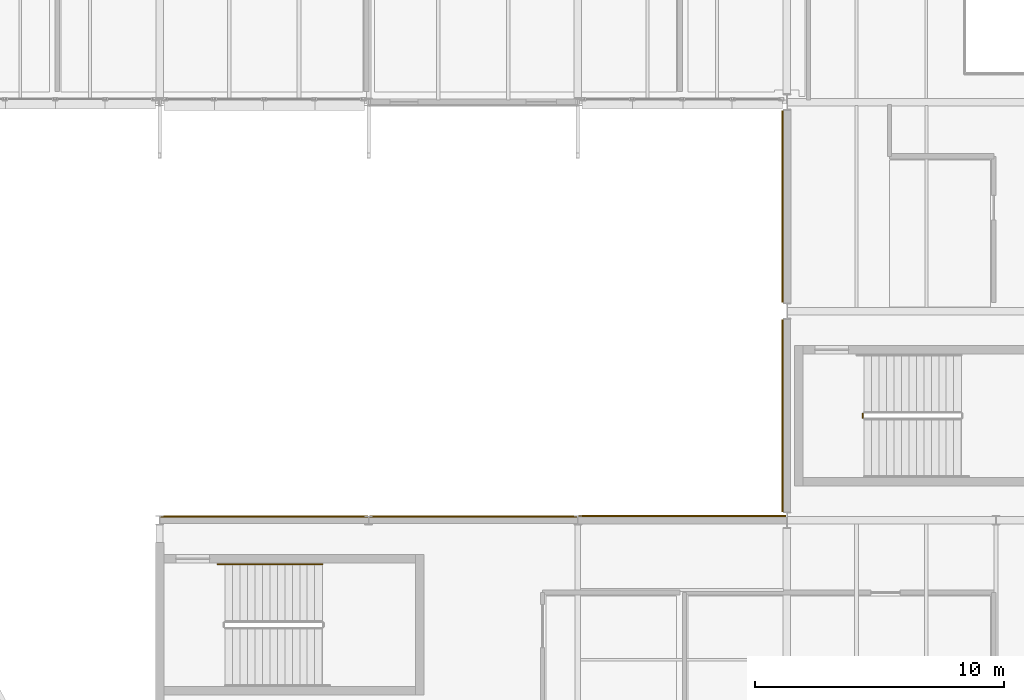
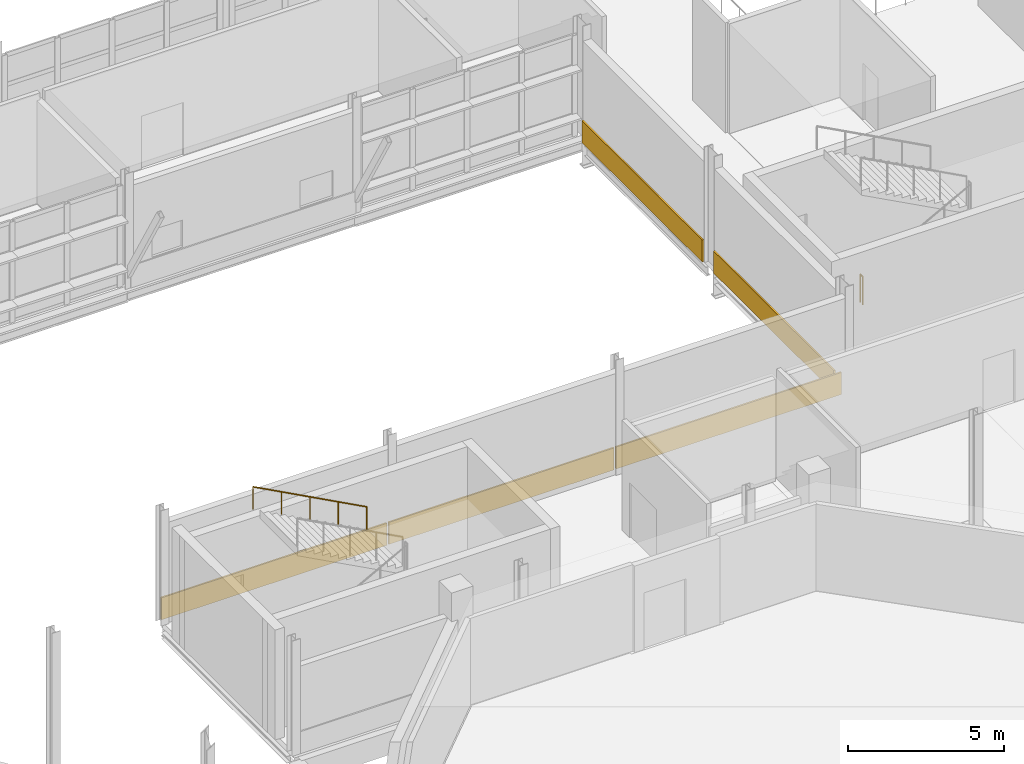
# One storey, part 111 of 129: 5 coverings, 2 railings.
"""IFC4 building model written with IfcOpenShell, lengths in metres."""

from ifc_helpers import new_model, si_unit, direction, frame, origin, origin_2d, place, context, subcontext, project, spatial, rectangle, circle, extrude, material, layer, layer_set, type_object, element, save


model = new_model("IFC4")

# Units and contexts
model_context = context("Model", 3, precision=1e-05, world=origin(), true_north=direction((0.0, 1.0)))
body_context = subcontext(model_context, "Body", "Model", "MODEL_VIEW")
ifc_project = project(units=[si_unit("LENGTHUNIT", "METRE"), si_unit("AREAUNIT", "SQUARE_METRE"), si_unit("VOLUMEUNIT", "CUBIC_METRE"), si_unit("PLANEANGLEUNIT", "RADIAN"), si_unit("MASSUNIT", "GRAM", prefix="KILO")], contexts=[model_context])

# Site, building, storey
site_placement = place(None, origin())
site = spatial("IfcSite", under=ifc_project, at=site_placement, CompositionType="ELEMENT")
building_placement = place(site_placement, origin())
building = spatial("IfcBuilding", under=site, at=building_placement, Name="Mersafa Astral City Hall", CompositionType="ELEMENT")
storey_placement = place(building_placement, frame((0.0, 0.0, 5.39990234375)))
storey = spatial("IfcBuildingStorey", under=building, at=storey_placement, Name="L01", CompositionType="ELEMENT", Elevation=5.39990234375)

# Coverings
ifc_material_1 = material(Name="Cairo Mokattam buff limestone cladding", Category="masonry")
ifc_layer = layer(ifc_material_1, 0.06005859375, Name="Cairo Mokattam buff limestone cladding")
ifc_layer_set = layer_set([ifc_layer], Name="Cairo Mokattam buff limestone cladding — ENV-COV-LIMESTONE-60")
covering_type = type_object("IfcCoveringType", Name="ENV-COV-LIMESTONE-60", PredefinedType="CLADDING", material=ifc_layer_set)
for number, where, z_axis, x_axis, name in (
    (1, (92.222900390625, 46.199951171875, 0.0), (0.0, 0.0, 1.0), (0.0, -1.0, 0.0), "L01 Cairo buff limestone rainscreen cladding 132"),
    (2, (92.23046875, 37.800048828125, 0.0), (0.0, 0.0, 1.0), (0.0, -1.0, 0.0), "L01 Cairo buff limestone rainscreen cladding 133"),
):
    element("IfcCovering", number, at=place(storey_placement, frame(where, z_axis=z_axis, x_axis=x_axis)), inside=storey, type_object=covering_type, Name=name, PredefinedType="CLADDING", context=body_context, shape_type="SweptSolid", body=[
        extrude(rectangle(XDim=7.697998046875, YDim=0.06005859375, at=origin_2d()), origin(), (0.0, 0.0, 1.0), 0.860107421875),
    ])
for number, where, z_axis, x_axis, name in (
    (3, (88.199951171875, 33.761962890625, 0.0), (0.0, 0.0, 1.0), (-1.0, 0.0, 0.0), "L01 Cairo buff limestone rainscreen cladding 134"),
    (4, (79.800048828125, 33.75439453125, 0.0), (0.0, 0.0, 1.0), (-1.0, 0.0, 0.0), "L01 Cairo buff limestone rainscreen cladding 135"),
    (5, (71.39990234375, 33.7470703125, 0.0), (0.0, 0.0, 1.0), (-1.0, 0.0, 0.0), "L01 Cairo buff limestone rainscreen cladding 136"),
):
    element("IfcCovering", number, at=place(storey_placement, frame(where, z_axis=z_axis, x_axis=x_axis)), inside=storey, type_object=covering_type, Name=name, PredefinedType="CLADDING", context=body_context, shape_type="SweptSolid", body=[
        extrude(rectangle(XDim=8.323974609375, YDim=0.06005859375, at=origin_2d()), origin(), (0.0, 0.0, 1.0), 0.860107421875),
    ])

# Railings
ifc_material_2 = material(Name="Painted architectural steel stair guard balustrade", Category="steel")
railing_type_1 = type_object("IfcRailingType", Name="GUARD-RAIL", PredefinedType="BALUSTRADE", material=ifc_material_2)
railing_1_placement = place(storey_placement, frame((95.449951171875, 37.719970703125, 0.0)))
element("IfcRailing", 6, at=railing_1_placement, inside=storey, type_object=railing_type_1, Name="L01 ST8 stair guard 4", PredefinedType="BALUSTRADE", context=body_context, shape_type="SweptSolid", body=[
    extrude(circle(Radius=0.02392578125, at=origin_2d()), frame((0.0, 0.0, 1.09619140625), z_axis=(0.0, 1.0, 0.0), x_axis=(-1.0, 0.0, 0.0)), (0.0, 0.0, 1.0), 0.159912109375),
    extrude(circle(Radius=0.02099609375, at=origin_2d()), origin(), (0.0, 0.0, 1.0), 1.072021484375),
    extrude(circle(Radius=0.02099609375, at=origin_2d()), frame((0.0, 0.159912109375, 0.0)), (0.0, 0.0, 1.0), 1.072021484375),
])
ifc_material_3 = material(Name="Brushed stainless steel tubular handrail", Category="steel")
railing_type_2 = type_object("IfcRailingType", Name="HANDRAIL", PredefinedType="HANDRAIL", material=ifc_material_3)
railing_2_placement = place(storey_placement, frame((73.72998046875, 31.830078125, 2.410888671875)))
element("IfcRailing", 7, at=railing_2_placement, inside=storey, type_object=railing_type_2, Name="L01 ST7 stair handrail 2", PredefinedType="HANDRAIL", context=body_context, shape_type="SweptSolid", body=[
    extrude(circle(Radius=0.02392578125, at=origin_2d()), frame((0.0, 0.0, 0.8759765625), z_axis=(-0.881221683169, 0.0, 0.472703231546), x_axis=(0.0, -1.0, 0.0)), (0.0, 0.0, 1.0), 4.76611328125),
    extrude(circle(Radius=0.02099609375, at=origin_2d()), origin(), (0.0, 0.0, 1.0), 0.851806640625),
    extrude(circle(Radius=0.02099609375, at=origin_2d()), frame((-1.050048828125, 0.0, 0.563232421875)), (0.0, 0.0, 1.0), 0.851806640625),
    extrude(circle(Radius=0.02099609375, at=origin_2d()), frame((-2.10009765625, 0.0, 1.12646484375)), (0.0, 0.0, 1.0), 0.851806640625),
    extrude(circle(Radius=0.02099609375, at=origin_2d()), frame((-3.14990234375, 0.0, 1.689697265625)), (0.0, 0.0, 1.0), 0.851806640625),
    extrude(circle(Radius=0.02099609375, at=origin_2d()), frame((-4.199951171875, 0.0, 2.2529296875)), (0.0, 0.0, 1.0), 0.851806640625),
])

save(model, "model.ifc")
